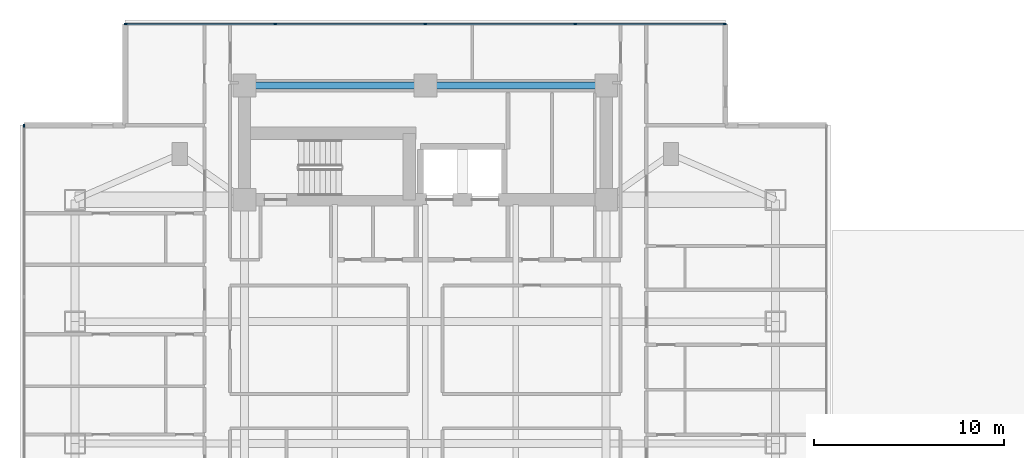
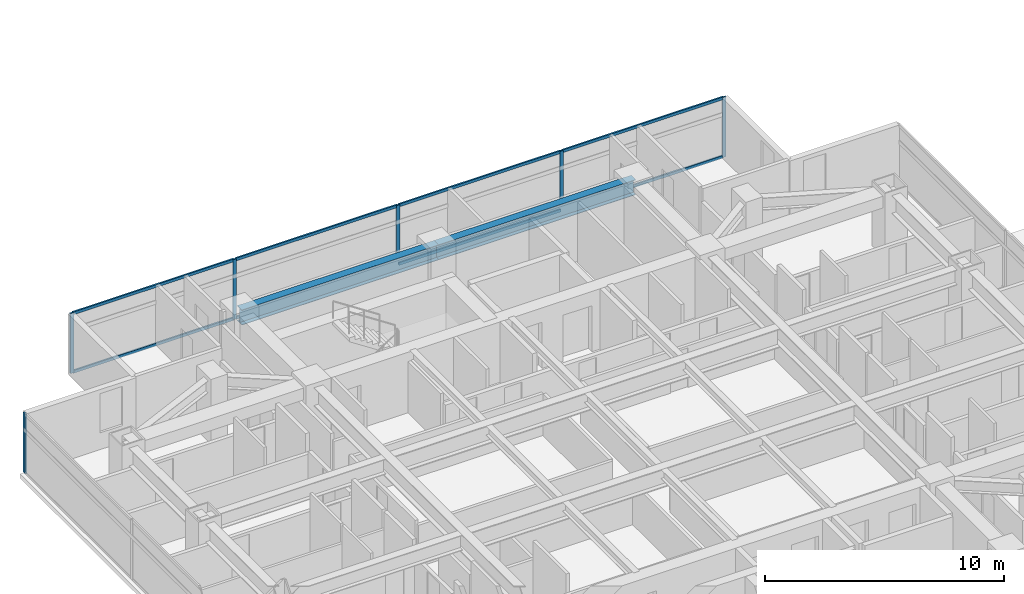
# One storey, part 7 of 26: 14 members, 2 beams, 2 elements without a shape of their own.
"""IFC4 building model written with IfcOpenShell, lengths in metres."""

from ifc_helpers import new_model, si_unit, direction, frame, origin, origin_2d, place, context, subcontext, project, spatial, rectangle, i_section, extrude, material, material_profile, profile_set, type_object, element, aggregate, save


model = new_model("IFC4")

# Units and contexts
model_context = context("Model", 3, precision=1e-05, world=origin(), true_north=direction((0.0, 1.0)))
body_context = subcontext(model_context, "Body", "Model", "MODEL_VIEW")
ifc_project = project(units=[si_unit("LENGTHUNIT", "METRE"), si_unit("AREAUNIT", "SQUARE_METRE"), si_unit("VOLUMEUNIT", "CUBIC_METRE"), si_unit("PLANEANGLEUNIT", "RADIAN"), si_unit("MASSUNIT", "GRAM", prefix="KILO")], contexts=[model_context])

# Site, building, storey
site_placement = place(None, origin())
site = spatial("IfcSite", under=ifc_project, at=site_placement, CompositionType="ELEMENT")
building_placement = place(site_placement, origin())
building = spatial("IfcBuilding", under=site, at=building_placement, Name="Mirazonda Arch Towers", CompositionType="ELEMENT")
storey_placement = place(building_placement, frame((0.0, 0.0, 98.300048828125)))
storey = spatial("IfcBuildingStorey", under=building, at=storey_placement, Name="L27", CompositionType="ELEMENT", Elevation=98.300048828125)

# Beams
ifc_material_1 = material(Name="Steel ASTM A992 Grade 50", Category="steel")
ifc_material_profile_1 = material_profile(ifc_material_1, i_section(OverallWidth=0.381103515625, OverallDepth=0.77294921875, WebThickness=0.0166015625, FlangeThickness=0.027099609375, at=origin_2d()), Name="W30X173")
ifc_profile_set_1 = profile_set([ifc_material_profile_1], Name="Steel ASTM A992 Grade 50")
beam_type = type_object("IfcBeamType", Name="BM-INT-W30X173", PredefinedType="USERDEFINED", material=ifc_profile_set_1)
for number, where, z_axis, x_axis, name in (
    (1, (11.0, 43.60009765625, 2.693359375), (1.0, 0.0, 0.0), (0.0, 1.0, 0.0), "L27 Floor Beam BM-T1-L27-CN1"),
    (2, (20.5, 43.60009765625, 2.693359375), (1.0, 0.0, 0.0), (0.0, 1.0, 0.0), "L27 Floor Beam BM-T1-L27-CN2"),
):
    element("IfcBeam", number, at=place(storey_placement, frame(where, z_axis=z_axis, x_axis=x_axis)), inside=storey, type_object=beam_type, Name=name, ObjectType="GIRDER", PredefinedType="USERDEFINED", context=body_context, shape_type="SweptSolid", body=[
        extrude(i_section(OverallWidth=0.381103515625, OverallDepth=0.77294921875, WebThickness=0.0166015625, FlangeThickness=0.027099609375, at=origin_2d()), origin(), (0.0, 0.0, 1.0), 9.5),
    ])

# Curtain wall, members
ifc_material_2 = material(Name="Anodised Aluminium and Low-E Glass", Category="aluminium")
curtain_wall_type = type_object("IfcCurtainWallType", Name="CW-HTL-UNIT", PredefinedType="NOTDEFINED", material=ifc_material_2)
curtain_wall_1_placement = place(storey_placement, origin())
curtain_wall_1 = element("IfcCurtainWall", 3, at=curtain_wall_1_placement, inside=storey, type_object=curtain_wall_type, Name="L27 T1 N Facade CW-L27-T1-N", PredefinedType="NOTDEFINED")
ifc_material_3 = material(Name="Anodised Aluminium Alloy", Category="aluminium")
ifc_material_profile_2 = material_profile(ifc_material_3, rectangle(XDim=0.074951171875, YDim=0.1650390625, at=origin_2d()), Name="ALU-MULL-75x165")
ifc_profile_set_2 = profile_set([ifc_material_profile_2], Name="Anodised Aluminium Alloy")
member_type_1 = type_object("IfcMemberType", Name="MULL-CW-HTL-UNIT", PredefinedType="MULLION", material=ifc_profile_set_2)
member_1_placement = place(storey_placement, frame((4.7724609375, 46.823974609375, 0.0), z_axis=(0.0, 0.0, 1.0), x_axis=(0.0, 1.0, 0.0)))
member_1 = element("IfcMember", 4, at=member_1_placement, type_object=member_type_1, Name="CW-112 mullion 1", PredefinedType="MULLION", context=body_context, shape_type="SweptSolid", body=[
    extrude(rectangle(XDim=0.074951171875, YDim=0.1650390625, at=origin_2d()), origin(), (0.0, 0.0, 1.0), 3.06005859375),
])
member_2_placement = place(storey_placement, frame((12.617431640625, 46.823974609375, 0.0), z_axis=(0.0, 0.0, 1.0), x_axis=(0.0, 1.0, 0.0)))
member_2 = element("IfcMember", 5, at=member_2_placement, type_object=member_type_1, Name="CW-112 mullion 2", PredefinedType="MULLION", context=body_context, shape_type="SweptSolid", body=[
    extrude(rectangle(XDim=0.074951171875, YDim=0.1650390625, at=origin_2d()), origin(), (0.0, 0.0, 1.0), 3.06005859375),
])
member_3_placement = place(storey_placement, frame((20.5, 46.823974609375, 0.0), z_axis=(0.0, 0.0, 1.0), x_axis=(0.0, 1.0, 0.0)))
member_3 = element("IfcMember", 6, at=member_3_placement, type_object=member_type_1, Name="CW-112 mullion 3", PredefinedType="MULLION", context=body_context, shape_type="SweptSolid", body=[
    extrude(rectangle(XDim=0.074951171875, YDim=0.1650390625, at=origin_2d()), origin(), (0.0, 0.0, 1.0), 3.06005859375),
])
member_4_placement = place(storey_placement, frame((28.382568359375, 46.823974609375, 0.0), z_axis=(0.0, 0.0, 1.0), x_axis=(0.0, 1.0, 0.0)))
member_4 = element("IfcMember", 7, at=member_4_placement, type_object=member_type_1, Name="CW-112 mullion 4", PredefinedType="MULLION", context=body_context, shape_type="SweptSolid", body=[
    extrude(rectangle(XDim=0.074951171875, YDim=0.1650390625, at=origin_2d()), origin(), (0.0, 0.0, 1.0), 3.06005859375),
])
member_5_placement = place(storey_placement, frame((36.2275390625, 46.823974609375, 0.0), z_axis=(0.0, 0.0, 1.0), x_axis=(0.0, 1.0, 0.0)))
member_5 = element("IfcMember", 8, at=member_5_placement, type_object=member_type_1, Name="CW-112 mullion 5", PredefinedType="MULLION", context=body_context, shape_type="SweptSolid", body=[
    extrude(rectangle(XDim=0.074951171875, YDim=0.1650390625, at=origin_2d()), origin(), (0.0, 0.0, 1.0), 3.06005859375),
])

# Curtain wall, member
curtain_wall_2_placement = place(storey_placement, origin())
curtain_wall_2 = element("IfcCurtainWall", 9, at=curtain_wall_2_placement, inside=storey, type_object=curtain_wall_type, Name="L27 T1 W Facade CW-L27-T1-W", PredefinedType="NOTDEFINED")
member_6_placement = place(storey_placement, frame((-0.570068359375, 41.4814453125, 0.0), z_axis=(0.0, 0.0, 1.0), x_axis=(1.0, 0.0, 0.0)))
member_6 = element("IfcMember", 10, at=member_6_placement, type_object=member_type_1, Name="CW-112 mullion 1", PredefinedType="MULLION", context=body_context, shape_type="SweptSolid", body=[
    extrude(rectangle(XDim=0.074951171875, YDim=0.1650390625, at=origin_2d()), origin(), (0.0, 0.0, 1.0), 3.06005859375),
])
aggregate(curtain_wall_2, [member_6])

# Member
ifc_material_profile_3 = material_profile(ifc_material_3, rectangle(XDim=0.074951171875, YDim=0.14501953125, at=origin_2d()), Name="ALU-TRAN-75x145")
ifc_profile_set_3 = profile_set([ifc_material_profile_3], Name="Anodised Aluminium Alloy")
member_type_2 = type_object("IfcMemberType", Name="TRAN-CW-HTL-UNIT", PredefinedType="USERDEFINED", material=ifc_profile_set_3)
member_7_placement = place(storey_placement, frame((4.81005859375, 46.823974609375, 0.037353515625), z_axis=(1.0, 0.0, 0.0), x_axis=(0.0, 1.0, 0.0)))
member_7 = element("IfcMember", 11, at=member_7_placement, type_object=member_type_2, Name="CW-112 transom 1.1", ObjectType="TRANSOM", PredefinedType="USERDEFINED", context=body_context, shape_type="SweptSolid", body=[
    extrude(rectangle(XDim=0.074951171875, YDim=0.14501953125, at=origin_2d()), origin(), (0.0, 0.0, 1.0), 7.77001953125),
])

member_8_placement = place(storey_placement, frame((4.81005859375, 46.823974609375, 3.0224609375), z_axis=(1.0, 0.0, 0.0), x_axis=(0.0, 1.0, 0.0)))
member_8 = element("IfcMember", 12, at=member_8_placement, type_object=member_type_2, Name="CW-112 transom 1.2", ObjectType="TRANSOM", PredefinedType="USERDEFINED", context=body_context, shape_type="SweptSolid", body=[
    extrude(rectangle(XDim=0.074951171875, YDim=0.14501953125, at=origin_2d()), origin(), (0.0, 0.0, 1.0), 7.77001953125),
])

member_9_placement = place(storey_placement, frame((12.655029296875, 46.823974609375, 0.037353515625), z_axis=(1.0, 0.0, 0.0), x_axis=(0.0, 1.0, 0.0)))
member_9 = element("IfcMember", 13, at=member_9_placement, type_object=member_type_2, Name="CW-112 transom 2.1", ObjectType="TRANSOM", PredefinedType="USERDEFINED", context=body_context, shape_type="SweptSolid", body=[
    extrude(rectangle(XDim=0.074951171875, YDim=0.14501953125, at=origin_2d()), origin(), (0.0, 0.0, 1.0), 7.807373046875),
])

member_10_placement = place(storey_placement, frame((12.655029296875, 46.823974609375, 3.0224609375), z_axis=(1.0, 0.0, 0.0), x_axis=(0.0, 1.0, 0.0)))
member_10 = element("IfcMember", 14, at=member_10_placement, type_object=member_type_2, Name="CW-112 transom 2.2", ObjectType="TRANSOM", PredefinedType="USERDEFINED", context=body_context, shape_type="SweptSolid", body=[
    extrude(rectangle(XDim=0.074951171875, YDim=0.14501953125, at=origin_2d()), origin(), (0.0, 0.0, 1.0), 7.807373046875),
])

member_11_placement = place(storey_placement, frame((20.53759765625, 46.823974609375, 0.037353515625), z_axis=(1.0, 0.0, 0.0), x_axis=(0.0, 1.0, 0.0)))
member_11 = element("IfcMember", 15, at=member_11_placement, type_object=member_type_2, Name="CW-112 transom 3.1", ObjectType="TRANSOM", PredefinedType="USERDEFINED", context=body_context, shape_type="SweptSolid", body=[
    extrude(rectangle(XDim=0.074951171875, YDim=0.14501953125, at=origin_2d()), origin(), (0.0, 0.0, 1.0), 7.807373046875),
])

member_12_placement = place(storey_placement, frame((20.53759765625, 46.823974609375, 3.0224609375), z_axis=(1.0, 0.0, 0.0), x_axis=(0.0, 1.0, 0.0)))
member_12 = element("IfcMember", 16, at=member_12_placement, type_object=member_type_2, Name="CW-112 transom 3.2", ObjectType="TRANSOM", PredefinedType="USERDEFINED", context=body_context, shape_type="SweptSolid", body=[
    extrude(rectangle(XDim=0.074951171875, YDim=0.14501953125, at=origin_2d()), origin(), (0.0, 0.0, 1.0), 7.807373046875),
])

member_13_placement = place(storey_placement, frame((28.419921875, 46.823974609375, 0.037353515625), z_axis=(1.0, 0.0, 0.0), x_axis=(0.0, 1.0, 0.0)))
member_13 = element("IfcMember", 17, at=member_13_placement, type_object=member_type_2, Name="CW-112 transom 4.1", ObjectType="TRANSOM", PredefinedType="USERDEFINED", context=body_context, shape_type="SweptSolid", body=[
    extrude(rectangle(XDim=0.074951171875, YDim=0.14501953125, at=origin_2d()), origin(), (0.0, 0.0, 1.0), 7.77001953125),
])

member_14_placement = place(storey_placement, frame((28.419921875, 46.823974609375, 3.0224609375), z_axis=(1.0, 0.0, 0.0), x_axis=(0.0, 1.0, 0.0)))
member_14 = element("IfcMember", 18, at=member_14_placement, type_object=member_type_2, Name="CW-112 transom 4.2", ObjectType="TRANSOM", PredefinedType="USERDEFINED", context=body_context, shape_type="SweptSolid", body=[
    extrude(rectangle(XDim=0.074951171875, YDim=0.14501953125, at=origin_2d()), origin(), (0.0, 0.0, 1.0), 7.77001953125),
])

aggregate(curtain_wall_1, [member_1, member_2, member_3, member_4, member_5, member_7, member_8, member_9, member_10, member_11, member_12, member_13, member_14])

save(model, "model.ifc")
